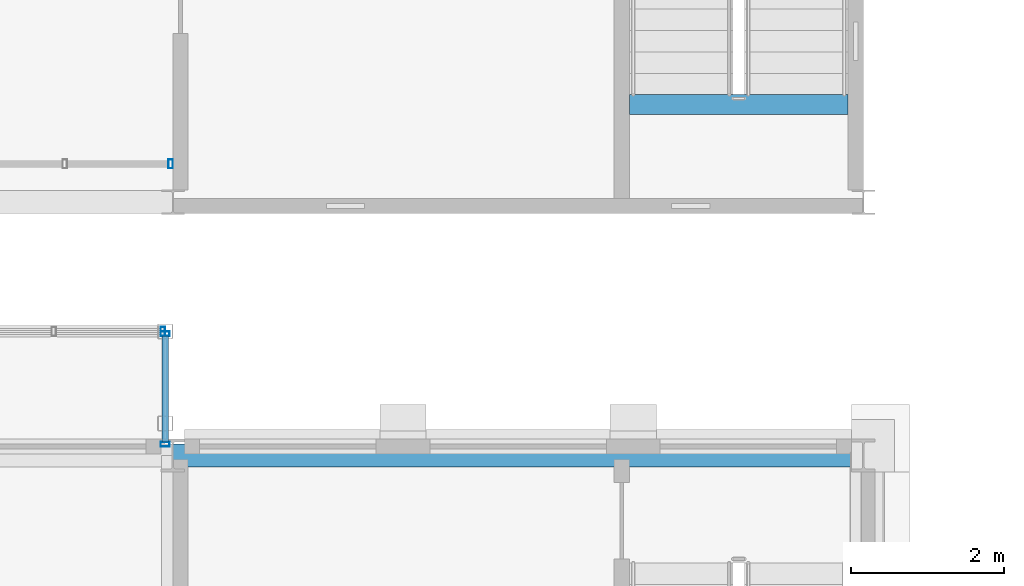
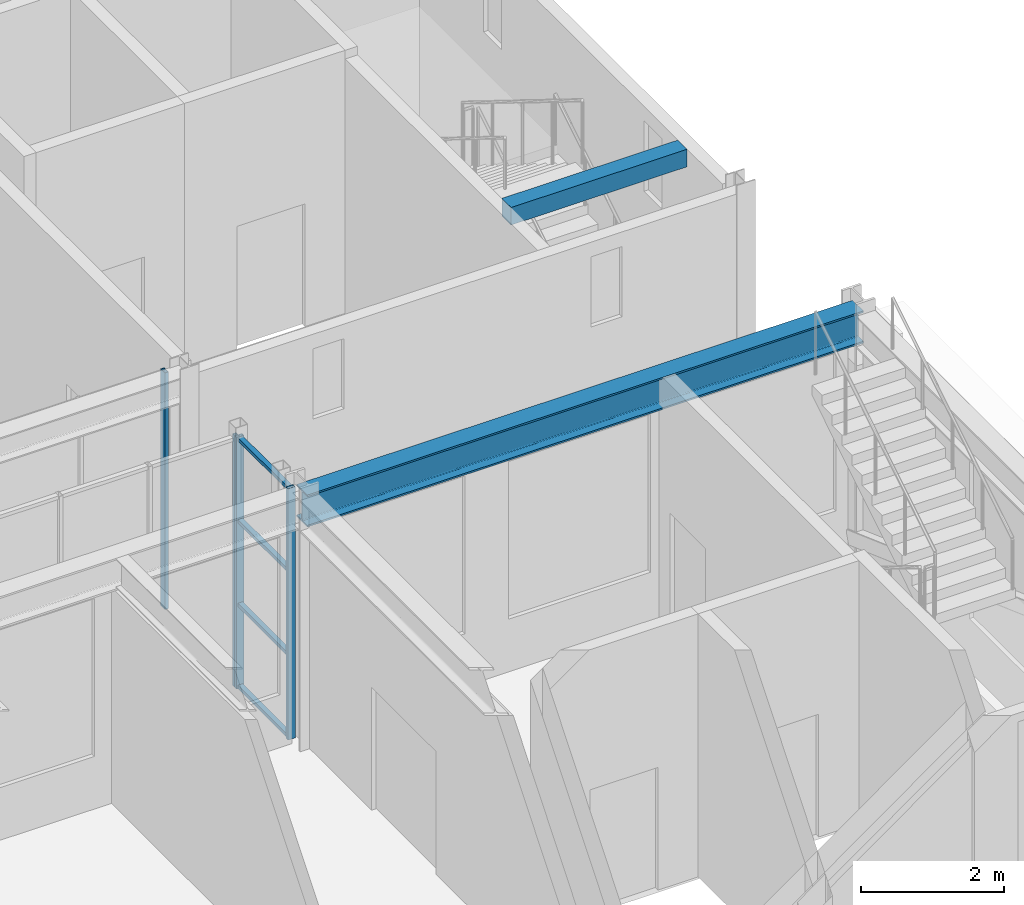
# One storey, part 42 of 111: 8 members, 2 beams, 3 elements without a shape of their own.
"""IFC4 building model written with IfcOpenShell, lengths in metres."""

from ifc_helpers import new_model, si_unit, direction, frame, origin, origin_2d, place, context, subcontext, project, spatial, rectangle, hollow_rectangle, i_section, extrude, material, layer, layer_set, material_profile, profile_set, type_object, element, aggregate, save


model = new_model("IFC4")

# Units and contexts
model_context = context("Model", 3, precision=1e-05, world=origin(), true_north=direction((0.0, 1.0)))
body_context = subcontext(model_context, "Body", "Model", "MODEL_VIEW")
ifc_project = project(units=[si_unit("LENGTHUNIT", "METRE"), si_unit("AREAUNIT", "SQUARE_METRE"), si_unit("VOLUMEUNIT", "CUBIC_METRE"), si_unit("PLANEANGLEUNIT", "RADIAN"), si_unit("MASSUNIT", "GRAM", prefix="KILO")], contexts=[model_context])

# Site, building, storey
site_placement = place(None, origin())
site = spatial("IfcSite", under=ifc_project, at=site_placement, CompositionType="ELEMENT")
building_placement = place(site_placement, origin())
building = spatial("IfcBuilding", under=site, at=building_placement, Name="Kallimachos Central Library", CompositionType="ELEMENT")
storey_placement = place(building_placement, frame((0.0, 0.0, 14.39990234375)))
storey = spatial("IfcBuildingStorey", under=building, at=storey_placement, Name="L03", CompositionType="ELEMENT", Elevation=14.39990234375)

# Curtain wall, member
ifc_material_1 = material(Name="Anodised aluminium and laminated glass", Category="aluminium")
ifc_layer = layer(ifc_material_1, 0.159912109375)
ifc_layer_set = layer_set([ifc_layer], Name="Glass box curtain wall")
curtain_wall_type_1 = type_object("IfcCurtainWallType", Name="Glass box curtain wall", PredefinedType="NOTDEFINED", material=ifc_layer_set)
curtain_wall_1_placement = place(storey_placement, origin())
curtain_wall_1 = element("IfcCurtainWall", 1, at=curtain_wall_1_placement, inside=storey, type_object=curtain_wall_type_1, Name="Glass box curtain wall S L03", PredefinedType="NOTDEFINED")
ifc_material_2 = material(Name="Anodised aluminium", Category="aluminium")
ifc_material_profile_1 = material_profile(ifc_material_2, hollow_rectangle(XDim=0.06005859375, YDim=0.1201171875, WallThickness=0.00390625, at=origin_2d()), Name="ALU MULLION 60x120")
ifc_profile_set_1 = profile_set([ifc_material_profile_1], Name="Anodised aluminium")
member_type_1 = type_object("IfcMemberType", Name="Glass box mullion 60x120", PredefinedType="MULLION", material=ifc_profile_set_1)
member_1_placement = place(storey_placement, frame((101.469970703125, 87.64990234375, 0.0), z_axis=(0.0, 0.0, 1.0), x_axis=(1.0, 0.0, 0.0)))
member_1 = element("IfcMember", 2, at=member_1_placement, type_object=member_type_1, Name="CW22 mullion 9", PredefinedType="MULLION", context=body_context, shape_type="SweptSolid", body=[
    extrude(hollow_rectangle(XDim=0.06005859375, YDim=0.1201171875, WallThickness=0.00390625, at=origin_2d()), origin(), (0.0, 0.0, 1.0), 4.050048828125),
])
aggregate(curtain_wall_1, [member_1])

# Beams
ifc_material_3 = material(Name="Steel S355J2", Category="steel")
ifc_material_profile_2 = material_profile(ifc_material_3, i_section(OverallWidth=0.300048828125, OverallDepth=0.550048828125, WebThickness=0.014892578125, FlangeThickness=0.029052734375, FilletRadius=0.027099609375, at=origin_2d()), Name="HEB 550")
ifc_profile_set_2 = profile_set([ifc_material_profile_2], Name="Steel S355J2")
beam_type_1 = type_object("IfcBeamType", Name="HEB 550 beam", PredefinedType="BEAM", material=ifc_profile_set_2)
beam_1_placement = place(storey_placement, frame((101.5, 83.85009765625, 4.025146484375), z_axis=(1.0, 0.0, 0.0), x_axis=(0.0, 1.0, 0.0)))
element("IfcBeam", 3, at=beam_1_placement, inside=storey, type_object=beam_type_1, Name="V4-BEM-L03-008", PredefinedType="BEAM", context=body_context, shape_type="SweptSolid", body=[
    extrude(i_section(OverallWidth=0.300048828125, OverallDepth=0.550048828125, WebThickness=0.014892578125, FlangeThickness=0.029052734375, FilletRadius=0.027099609375, at=origin_2d()), origin(), (0.0, 0.0, 1.0), 9.0),
])
ifc_material_4 = material(Name="Concrete C30/37", Category="concrete")
ifc_material_profile_3 = material_profile(ifc_material_4, rectangle(XDim=0.260009765625, YDim=0.300048828125, at=origin_2d()), Name="RC stair trimmer beam 260 x 300")
ifc_profile_set_3 = profile_set([ifc_material_profile_3], Name="Concrete C30/37")
beam_type_2 = type_object("IfcBeamType", Name="RC stair trimmer beam 260 x 300", PredefinedType="BEAM", material=ifc_profile_set_3)
beam_2_placement = place(storey_placement, frame((110.300048828125, 88.424072265625, 4.2001953125), z_axis=(-1.0, 0.0, 0.0), x_axis=(0.0, -1.0, 0.0)))
element("IfcBeam", 4, at=beam_2_placement, inside=storey, type_object=beam_type_2, Name="Stair trimmer beam ST2 L03", PredefinedType="BEAM", context=body_context, shape_type="SweptSolid", body=[
    extrude(rectangle(XDim=0.260009765625, YDim=0.300048828125, at=origin_2d()), origin(), (0.0, 0.0, 1.0), 2.85009765625),
])

# Curtain wall, member
ifc_material_5 = material(Name="Aluminium and laminated glass", Category="aluminium")
curtain_wall_type_2 = type_object("IfcCurtainWallType", Name="Tribune bay glazed screen", PredefinedType="NOTDEFINED", material=ifc_material_5)
curtain_wall_2_placement = place(storey_placement, origin())
curtain_wall_2 = element("IfcCurtainWall", 5, at=curtain_wall_2_placement, inside=storey, type_object=curtain_wall_type_2, Name="Tribune bay N2 L03 front", PredefinedType="NOTDEFINED")
ifc_material_6 = material(Name="Anodised aluminium", Category="aluminium")
ifc_material_profile_4 = material_profile(ifc_material_6, hollow_rectangle(XDim=0.06005859375, YDim=0.1201171875, WallThickness=0.00390625, at=origin_2d()), Name="ALU MULLION 60x120")
ifc_profile_set_4 = profile_set([ifc_material_profile_4], Name="Anodised aluminium")
member_type_2 = type_object("IfcMemberType", Name="Tribune bay mullion", PredefinedType="MULLION", material=ifc_profile_set_4)
member_2_placement = place(storey_placement, frame((101.3701171875, 85.466064453125, 0.0), z_axis=(0.0, 0.0, 1.0), x_axis=(1.0, 0.0, 0.0)))
member_2 = element("IfcMember", 6, at=member_2_placement, type_object=member_type_2, Name="CW mullion 5", PredefinedType="MULLION", context=body_context, shape_type="SweptSolid", body=[
    extrude(hollow_rectangle(XDim=0.06005859375, YDim=0.1201171875, WallThickness=0.00390625, at=origin_2d()), origin(), (0.0, 0.0, 1.0), 4.300048828125),
])
aggregate(curtain_wall_2, [member_2])

# Curtain wall, members
curtain_wall_3_placement = place(storey_placement, origin())
curtain_wall_3 = element("IfcCurtainWall", 7, at=curtain_wall_3_placement, inside=storey, type_object=curtain_wall_type_2, Name="Tribune bay N2 L03 return 2", PredefinedType="NOTDEFINED")
member_3_placement = place(storey_placement, frame((101.39990234375, 83.99609375, 0.0), z_axis=(0.0, 0.0, 1.0), x_axis=(0.0, 1.0, 0.0)))
member_3 = element("IfcMember", 8, at=member_3_placement, type_object=member_type_2, Name="CW mullion 1", PredefinedType="MULLION", context=body_context, shape_type="SweptSolid", body=[
    extrude(hollow_rectangle(XDim=0.06005859375, YDim=0.1201171875, WallThickness=0.00390625, at=origin_2d()), origin(), (0.0, 0.0, 1.0), 4.300048828125),
])
member_4_placement = place(storey_placement, frame((101.39990234375, 85.43603515625, 0.0), z_axis=(0.0, 0.0, 1.0), x_axis=(0.0, 1.0, 0.0)))
member_4 = element("IfcMember", 9, at=member_4_placement, type_object=member_type_2, Name="CW mullion 2", PredefinedType="MULLION", context=body_context, shape_type="SweptSolid", body=[
    extrude(hollow_rectangle(XDim=0.06005859375, YDim=0.1201171875, WallThickness=0.00390625, at=origin_2d()), origin(), (0.0, 0.0, 1.0), 4.300048828125),
])
ifc_material_7 = material(Name="Anodised aluminium", Category="aluminium")
ifc_material_profile_5 = material_profile(ifc_material_7, hollow_rectangle(XDim=0.06005859375, YDim=0.080078125, WallThickness=0.00390625, at=origin_2d()), Name="ALU TRANSOM 60x80")
ifc_profile_set_5 = profile_set([ifc_material_profile_5], Name="Anodised aluminium")
member_type_3 = type_object("IfcMemberType", Name="Tribune bay transom", PredefinedType="USERDEFINED", material=ifc_profile_set_5)
member_5_placement = place(storey_placement, frame((101.39990234375, 84.02587890625, 0.030029296875), z_axis=(0.0, 1.0, 0.0), x_axis=(0.0, 0.0, 1.0)))
member_5 = element("IfcMember", 10, at=member_5_placement, type_object=member_type_3, Name="CW transom 1.1", ObjectType="TRANSOM", PredefinedType="USERDEFINED", context=body_context, shape_type="SweptSolid", body=[
    extrude(hollow_rectangle(XDim=0.06005859375, YDim=0.080078125, WallThickness=0.00390625, at=origin_2d()), origin(), (0.0, 0.0, 1.0), 1.380126953125),
])
member_6_placement = place(storey_placement, frame((101.39990234375, 84.02587890625, 1.433349609375), z_axis=(0.0, 1.0, 0.0), x_axis=(0.0, 0.0, 1.0)))
member_6 = element("IfcMember", 11, at=member_6_placement, type_object=member_type_3, Name="CW transom 1.2", ObjectType="TRANSOM", PredefinedType="USERDEFINED", context=body_context, shape_type="SweptSolid", body=[
    extrude(hollow_rectangle(XDim=0.06005859375, YDim=0.080078125, WallThickness=0.00390625, at=origin_2d()), origin(), (0.0, 0.0, 1.0), 1.380126953125),
])
member_7_placement = place(storey_placement, frame((101.39990234375, 84.02587890625, 2.86669921875), z_axis=(0.0, 1.0, 0.0), x_axis=(0.0, 0.0, 1.0)))
member_7 = element("IfcMember", 12, at=member_7_placement, type_object=member_type_3, Name="CW transom 1.3", ObjectType="TRANSOM", PredefinedType="USERDEFINED", context=body_context, shape_type="SweptSolid", body=[
    extrude(hollow_rectangle(XDim=0.06005859375, YDim=0.080078125, WallThickness=0.00390625, at=origin_2d()), origin(), (0.0, 0.0, 1.0), 1.380126953125),
])
member_8_placement = place(storey_placement, frame((101.39990234375, 84.02587890625, 4.27001953125), z_axis=(0.0, 1.0, 0.0), x_axis=(0.0, 0.0, 1.0)))
member_8 = element("IfcMember", 13, at=member_8_placement, type_object=member_type_3, Name="CW transom 1.4", ObjectType="TRANSOM", PredefinedType="USERDEFINED", context=body_context, shape_type="SweptSolid", body=[
    extrude(hollow_rectangle(XDim=0.06005859375, YDim=0.080078125, WallThickness=0.00390625, at=origin_2d()), origin(), (0.0, 0.0, 1.0), 1.380126953125),
])
aggregate(curtain_wall_3, [member_3, member_4, member_5, member_6, member_7, member_8])

save(model, "model.ifc")
